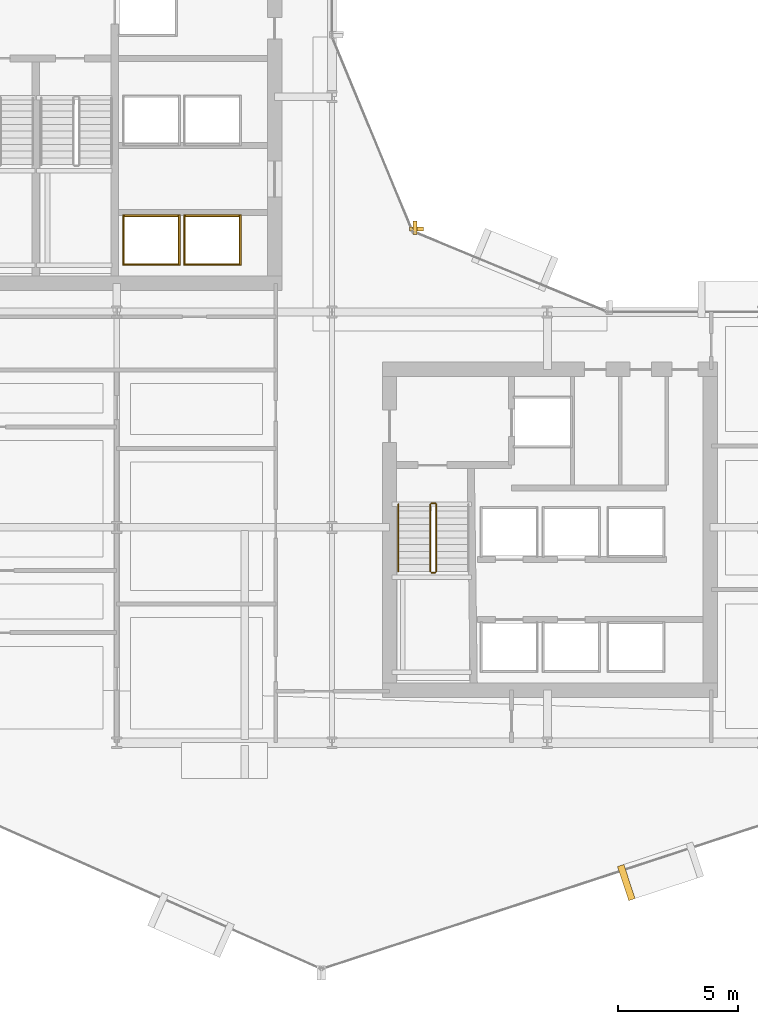
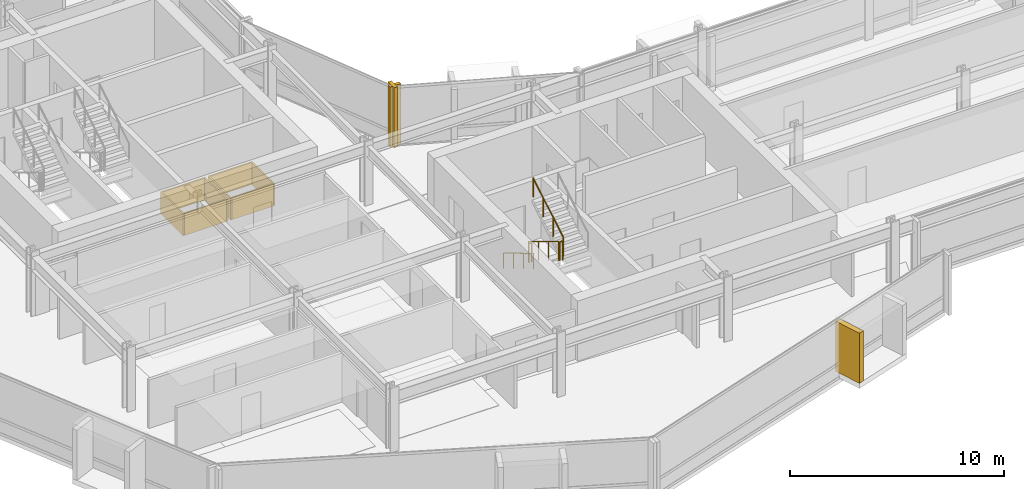
# One storey, part 31 of 34: 11 coverings, 5 railings.
"""IFC4 building model written with IfcOpenShell, lengths in metres."""

import ifcopenshell
import ifcopenshell.guid

model = None  # the IFC model being written
_history = None  # IfcOwnerHistory: only IFC2X3 demands one
_inside = {}  # id of a spatial element -> (the spatial element, [elements in it])
_under = {}  # id of a project, library or spatial element -> (it, [spatial elements below it])
_declared = {}  # id of a project -> (the project, [libraries it declares])
_typed = {}  # id of a type object -> (the type object, [elements of that type])
_made_of = {}  # id of a material, layer set ... -> (it, [elements and type objects made of it])


def new_model(schema):
    """Start an empty IFC model of exactly this schema.

    Asked for "IFC4X3", IfcOpenShell would pick the latest addendum, in which some entities
    have other attributes; the version numbers below select the first issue.
    IFC2X3 requires an IfcOwnerHistory on every rooted entity: one is made here for all.
    """
    global model, _history
    if schema == "IFC4X3":
        model = ifcopenshell.file(schema_version=(4, 3, 0, 0))
    else:
        model = ifcopenshell.file(schema=schema)
    _inside.clear()
    _under.clear()
    _declared.clear()
    _typed.clear()
    _made_of.clear()
    _history = None
    if model.schema == "IFC2X3":
        org = make("IfcOrganization", Name="unknown")
        user = make(
            "IfcPersonAndOrganization",
            ThePerson=make("IfcPerson", FamilyName="unknown"),
            TheOrganization=org,
        )
        app = make(
            "IfcApplication",
            ApplicationDeveloper=org,
            Version="unknown",
            ApplicationFullName="unknown",
            ApplicationIdentifier="unknown",
        )
        _history = make(
            "IfcOwnerHistory",
            OwningUser=user,
            OwningApplication=app,
            ChangeAction="ADDED",
            CreationDate=0,
        )
    return model


def make(cls, **values):
    """One entity of the class cls with the attributes given. An attribute that is None is left unset."""
    return model.create_entity(
        cls, **{name: value for name, value in values.items() if value is not None}
    )


def rooted(cls, **values):
    """An entity with a GlobalId (a new one), such as an element, a storey or a relation."""
    return make(cls, GlobalId=ifcopenshell.guid.new(), OwnerHistory=_history, **values)


def si_unit(unit_type, name, prefix=None):
    """IfcSIUnit, for example si_unit("LENGTHUNIT", "METRE", prefix="MILLI")."""
    return make("IfcSIUnit", UnitType=unit_type, Prefix=prefix, Name=name)


def assignment(units):
    """IfcUnitAssignment: the units of a project."""
    return None if units is None else make("IfcUnitAssignment", Units=units)


def point(xyz):
    """IfcCartesianPoint."""
    return None if xyz is None else make("IfcCartesianPoint", Coordinates=xyz)


def direction(xyz):
    """IfcDirection."""
    return None if xyz is None else make("IfcDirection", DirectionRatios=xyz)


def frame(location, z_axis=None, x_axis=None):
    """IfcAxis2Placement3D, a coordinate frame: its origin and axes. An axis left out is left unset."""
    return make(
        "IfcAxis2Placement3D",
        Location=point(location),
        Axis=direction(z_axis),
        RefDirection=direction(x_axis),
    )


def frame_2d(location, x_axis=None):
    """IfcAxis2Placement2D, a coordinate frame in the plane: its origin and x axis."""
    return make(
        "IfcAxis2Placement2D", Location=point(location), RefDirection=direction(x_axis)
    )


def origin():
    """The frame at (0, 0, 0) with its axes left unset."""
    return frame((0.0, 0.0, 0.0))


def origin_2d():
    """The frame at (0, 0) in the plane with its x axis left unset."""
    return frame_2d((0.0, 0.0))


def place(relative_to, where):
    """IfcLocalPlacement: puts the frame where relative to a parent placement (None: the world)."""
    return make(
        "IfcLocalPlacement", PlacementRelTo=relative_to, RelativePlacement=where
    )


def context(
    kind, dimensions, precision=None, world=None, true_north=None, identifier=None
):
    """IfcGeometricRepresentationContext, for example the 3D "Model" context."""
    return make(
        "IfcGeometricRepresentationContext",
        ContextIdentifier=identifier,
        ContextType=kind,
        CoordinateSpaceDimension=dimensions,
        Precision=precision,
        WorldCoordinateSystem=world,
        TrueNorth=true_north,
    )


def subcontext(parent, identifier, kind, view, scale=None):
    """IfcGeometricRepresentationSubContext, for example "Body" below "Model"."""
    return make(
        "IfcGeometricRepresentationSubContext",
        ContextIdentifier=identifier,
        ContextType=kind,
        ParentContext=parent,
        TargetScale=scale,
        TargetView=view,
    )


def project(units=None, contexts=None):
    """IfcProject with its units and contexts."""
    return rooted(
        "IfcProject",
        Name="project",
        RepresentationContexts=contexts,
        UnitsInContext=assignment(units),
    )


def spatial(cls, under=None, at=None, **own):
    """A site, building, storey or space (cls), placed at a placement, below another one or the project."""
    s = rooted(cls, ObjectPlacement=at, **own)
    if under is not None:
        _under.setdefault(under.id(), (under, []))[1].append(s)
    return s


def profile(cls, at=None, kind="AREA", **sizes):
    """A parametric profile (cls). Its sizes go by their IFC names, for example OverallWidth=200.0."""
    return make(cls, ProfileType=kind, Position=at, **sizes)


def rectangle(**sizes):
    """IfcRectangleProfileDef."""
    return profile("IfcRectangleProfileDef", **sizes)


def circle(**sizes):
    """IfcCircleProfileDef."""
    return profile("IfcCircleProfileDef", **sizes)


def extrude(swept, where, along, depth):
    """IfcExtrudedAreaSolid: the profile swept, set in the frame where, extruded along a direction by depth."""
    return make(
        "IfcExtrudedAreaSolid",
        SweptArea=swept,
        Position=where,
        ExtrudedDirection=direction(along),
        Depth=depth,
    )


def shape(context_of_items, identifier, shape_type, items):
    """IfcShapeRepresentation: the items that make up one representation, for example the "Body"."""
    return make(
        "IfcShapeRepresentation",
        ContextOfItems=context_of_items,
        RepresentationIdentifier=identifier,
        RepresentationType=shape_type,
        Items=items,
    )


def material(Name=None, Category=None):
    """IfcMaterial."""
    return make("IfcMaterial", Name=Name, Category=Category)


def layer(
    of_material, thickness, ventilated=None, Name=None, Category=None, Priority=None
):
    """IfcMaterialLayer: one layer of a wall or slab, of a material (None: an air gap)."""
    return make(
        "IfcMaterialLayer",
        Material=of_material,
        LayerThickness=thickness,
        IsVentilated=ventilated,
        Name=Name,
        Category=Category,
        Priority=Priority,
    )


def layer_set(layers, Name=None):
    """IfcMaterialLayerSet."""
    return make("IfcMaterialLayerSet", MaterialLayers=layers, LayerSetName=Name)


def made_of(thing, what):
    """Note that an element or type object is made of a material, layer set ...; save() writes the relation."""
    if what is not None:
        _made_of.setdefault(what.id(), (what, []))[1].append(thing)
    return thing


def type_object(cls, material=None, **own):
    """A type object (cls), such as IfcWallType, which elements share."""
    return made_of(rooted(cls, **own), material)


def element(
    cls,
    number,
    at=None,
    inside=None,
    cuts=None,
    type_object=None,
    material=None,
    context=None,
    identifier="Body",
    shape_type=None,
    held_by="IfcProductDefinitionShape",
    body=None,
    shapes=None,
    **own,
):
    """One element of the class cls, such as IfcWall. Its Tag is "e" and its number.

    at: its placement. inside: the storey or other place that contains it. cuts: it is an
    opening in that element (IfcRelVoidsElement). A single representation is given by context,
    identifier, shape_type and body (its items); several are given by shapes. held_by: the class
    of the entity that holds the representations. save() writes the other relations.
    """
    e = rooted(cls, Tag="e%d" % number, ObjectPlacement=at, **own)
    if body is not None:
        shapes = [shape(context, identifier, shape_type, body)]
    if shapes is not None:
        e.Representation = make(held_by, Representations=shapes)
    if inside is not None:
        _inside.setdefault(inside.id(), (inside, []))[1].append(e)
    if cuts is not None:
        rooted(
            "IfcRelVoidsElement", RelatingBuildingElement=cuts, RelatedOpeningElement=e
        )
    if type_object is not None:
        _typed.setdefault(type_object.id(), (type_object, []))[1].append(e)
    return made_of(e, material)


def aggregate(whole, parts):
    """IfcRelAggregates: a whole, such as a stair, and the parts it consists of."""
    return rooted("IfcRelAggregates", RelatingObject=whole, RelatedObjects=parts)


def save(model, path):
    """Write the relations noted so far, then the file.

    IfcRelAggregates (storeys below a building ...), IfcRelContainedInSpatialStructure (elements
    in a storey), IfcRelDefinesByType, IfcRelAssociatesMaterial and IfcRelDeclares: one each for
    every whole, place, type object, material and project.
    """
    for whole, parts in _under.values():
        aggregate(whole, parts)
    for where, things in _inside.values():
        rooted(
            "IfcRelContainedInSpatialStructure",
            RelatedElements=things,
            RelatingStructure=where,
        )
    for kind, things in _typed.values():
        rooted("IfcRelDefinesByType", RelatedObjects=things, RelatingType=kind)
    for what, things in _made_of.values():
        rooted("IfcRelAssociatesMaterial", RelatedObjects=things, RelatingMaterial=what)
    for by, libraries in _declared.values():
        rooted("IfcRelDeclares", RelatingContext=by, RelatedDefinitions=libraries)
    model.write(path)


model = new_model("IFC4")

# Units and contexts
model_context = context("Model", 3, precision=1e-05, world=origin(), true_north=direction((0.0, 1.0)))
body_context = subcontext(model_context, "Body", "Model", "MODEL_VIEW")
ifc_project = project(units=[si_unit("LENGTHUNIT", "METRE"), si_unit("AREAUNIT", "SQUARE_METRE"), si_unit("VOLUMEUNIT", "CUBIC_METRE"), si_unit("PLANEANGLEUNIT", "RADIAN"), si_unit("MASSUNIT", "GRAM", prefix="KILO")], contexts=[model_context])

# Site, building, storey
site_placement = place(None, origin())
site = spatial("IfcSite", under=ifc_project, at=site_placement, CompositionType="ELEMENT")
building_placement = place(site_placement, origin())
building = spatial("IfcBuilding", under=site, at=building_placement, Name="Solvaryn Broadcast Tower", CompositionType="ELEMENT")
storey_placement = place(building_placement, frame((0.0, 0.0, 36.0)))
storey = spatial("IfcBuildingStorey", under=building, at=storey_placement, Name="L07", CompositionType="ELEMENT", Elevation=36.0)

# Coverings
ifc_material_1 = material(Name="Fire-Rated Gypsum Shaftwall Liner", Category="concrete")
ifc_layer_1 = layer(ifc_material_1, 0.080078125)
ifc_layer_set_1 = layer_set([ifc_layer_1], Name="CV-SHAFT-LINER")
covering_type_1 = type_object("IfcCoveringType", Name="CV-SHAFT-LINER", PredefinedType="CLADDING", material=ifc_layer_set_1)
for number, where, z_axis, x_axis, name in (
    (1, (19.449951171875, 31.014892578125, 0.0), (0.0, 0.0, 1.0), (1.0, 0.0, 0.0), "L07 PH1 Hoistway Shaft Liner North"),
    (2, (19.449951171875, 28.985107421875, 0.0), (0.0, 0.0, 1.0), (1.0, 0.0, 0.0), "L07 PH1 Hoistway Shaft Liner South"),
):
    element("IfcCovering", number, at=place(storey_placement, frame(where, z_axis=z_axis, x_axis=x_axis)), inside=storey, type_object=covering_type_1, Name=name, PredefinedType="CLADDING", context=body_context, shape_type="SweptSolid", body=[
        extrude(rectangle(XDim=2.409912109375, YDim=0.080078125, at=origin_2d()), origin(), (0.0, 0.0, 1.0), 1.25),
    ])
for number, where, z_axis, x_axis, name in (
    (3, (20.614990234375, 30.0, 0.0), (0.0, 0.0, 1.0), (1.0, 0.0, 0.0), "L07 PH1 Hoistway Shaft Liner East"),
    (4, (18.284912109375, 30.0, 0.0), (0.0, 0.0, 1.0), (1.0, 0.0, 0.0), "L07 PH1 Hoistway Shaft Liner West"),
):
    element("IfcCovering", number, at=place(storey_placement, frame(where, z_axis=z_axis, x_axis=x_axis)), inside=storey, type_object=covering_type_1, Name=name, PredefinedType="CLADDING", context=body_context, shape_type="SweptSolid", body=[
        extrude(rectangle(XDim=0.080078125, YDim=2.110107421875, at=origin_2d()), origin(), (0.0, 0.0, 1.0), 1.25),
    ])
for number, where, z_axis, x_axis, name in (
    (5, (22.0, 31.014892578125, 0.0), (0.0, 0.0, 1.0), (1.0, 0.0, 0.0), "L07 PH2 Hoistway Shaft Liner North"),
    (6, (22.0, 28.985107421875, 0.0), (0.0, 0.0, 1.0), (1.0, 0.0, 0.0), "L07 PH2 Hoistway Shaft Liner South"),
):
    element("IfcCovering", number, at=place(storey_placement, frame(where, z_axis=z_axis, x_axis=x_axis)), inside=storey, type_object=covering_type_1, Name=name, PredefinedType="CLADDING", context=body_context, shape_type="SweptSolid", body=[
        extrude(rectangle(XDim=2.409912109375, YDim=0.080078125, at=origin_2d()), origin(), (0.0, 0.0, 1.0), 1.25),
    ])
for number, where, z_axis, x_axis, name in (
    (7, (23.1650390625, 30.0, 0.0), (0.0, 0.0, 1.0), (1.0, 0.0, 0.0), "L07 PH2 Hoistway Shaft Liner East"),
    (8, (20.8349609375, 30.0, 0.0), (0.0, 0.0, 1.0), (1.0, 0.0, 0.0), "L07 PH2 Hoistway Shaft Liner West"),
):
    element("IfcCovering", number, at=place(storey_placement, frame(where, z_axis=z_axis, x_axis=x_axis)), inside=storey, type_object=covering_type_1, Name=name, PredefinedType="CLADDING", context=body_context, shape_type="SweptSolid", body=[
        extrude(rectangle(XDim=0.080078125, YDim=2.110107421875, at=origin_2d()), origin(), (0.0, 0.0, 1.0), 1.25),
    ])
ifc_material_2 = material(Name="Glazed Architectural Terracotta Rainscreen Cladding", Category="masonry")
ifc_layer_2 = layer(ifc_material_2, 0.280029296875)
ifc_layer_set_2 = layer_set([ifc_layer_2], Name="CV-TC-CLAD")
covering_type_2 = type_object("IfcCoveringType", Name="CV-TC-CLAD", PredefinedType="CLADDING", material=ifc_layer_set_2)
covering_1_placement = place(storey_placement, frame((39.298095703125, 3.155517578125, 0.27978515625), z_axis=(0.0, 0.0, 1.0), x_axis=(0.950189870912, 0.311671636848, 0.0)))
element("IfcCovering", 9, at=covering_1_placement, inside=storey, type_object=covering_type_2, Name="L07 Projecting Stone Window Box Cheek 4-1", PredefinedType="CLADDING", context=body_context, shape_type="SweptSolid", body=[
    extrude(rectangle(XDim=0.280029296875, YDim=1.5, at=origin_2d()), origin(), (0.0, 0.0, 1.0), 2.860107421875),
])
ifc_material_3 = material(Name="Extruded Architectural Terracotta Fin", Category="masonry")
ifc_layer_3 = layer(ifc_material_3, 0.179931640625)
ifc_layer_set_3 = layer_set([ifc_layer_3], Name="CV-TC-FIN")
covering_type_3 = type_object("IfcCoveringType", Name="CV-TC-FIN", PredefinedType="USERDEFINED", material=ifc_layer_set_3)
covering_2_placement = place(storey_placement, frame((30.464599609375, 30.52294921875, 0.0), z_axis=(0.0, 0.0, 1.0), x_axis=(1.0, 0.0, 0.0)))
element("IfcCovering", 10, at=covering_2_placement, inside=storey, type_object=covering_type_3, Name="L07 Terracotta Vertical Fin FIN-L07-CN1-M01", ObjectType="FIN", PredefinedType="USERDEFINED", context=body_context, shape_type="SweptSolid", body=[
    extrude(rectangle(XDim=0.179931640625, YDim=0.580078125, at=origin_2d()), origin(), (0.0, 0.0, 1.0), 3.419921875),
])
covering_3_placement = place(storey_placement, frame((30.52294921875, 30.464599609375, 0.0), z_axis=(0.0, 0.0, 1.0), x_axis=(1.0, 0.0, 0.0)))
element("IfcCovering", 11, at=covering_3_placement, inside=storey, type_object=covering_type_3, Name="L07 Terracotta Vertical Fin FIN-L07-CN2-M00", ObjectType="FIN", PredefinedType="USERDEFINED", context=body_context, shape_type="SweptSolid", body=[
    extrude(rectangle(XDim=0.580078125, YDim=0.179931640625, at=origin_2d()), origin(), (0.0, 0.0, 1.0), 3.419921875),
])

# Railings
ifc_material_4 = material(Name="Painted Steel Stair Well Guard", Category="steel")
railing_type_1 = type_object("IfcRailingType", Name="RL-STAIR-GUARD", PredefinedType="BALUSTRADE", material=ifc_material_4)
railing_1_placement = place(storey_placement, frame((31.110107421875, 18.9599609375, 0.168212890625)))
element("IfcRailing", 12, at=railing_1_placement, inside=storey, type_object=railing_type_1, Name="L07 ST3 stair guard 1", PredefinedType="BALUSTRADE", context=body_context, shape_type="SweptSolid", body=[
    extrude(circle(Radius=0.02392578125, at=origin_2d()), frame((0.0, 0.0, 1.076171875), z_axis=(0.0, -0.857242210791, 0.514913383045), x_axis=(1.0, 0.0, 0.0)), (0.0, 0.0, 1.0), 3.266357421875),
    extrude(circle(Radius=0.02099609375, at=origin_2d()), origin(), (0.0, 0.0, 1.0), 1.052001953125),
    extrude(circle(Radius=0.02099609375, at=origin_2d()), frame((0.0, -0.933349609375, 0.560546875)), (0.0, 0.0, 1.0), 1.052001953125),
    extrude(circle(Radius=0.02099609375, at=origin_2d()), frame((0.0, -1.86669921875, 1.121337890625)), (0.0, 0.0, 1.0), 1.052001953125),
    extrude(circle(Radius=0.02099609375, at=origin_2d()), frame((0.0, -2.800048828125, 1.681884765625)), (0.0, 0.0, 1.0), 1.052001953125),
])
railing_2_placement = place(storey_placement, frame((31.159912109375, 16.110107421875, 1.85009765625)))
element("IfcRailing", 13, at=railing_2_placement, inside=storey, type_object=railing_type_1, Name="L07 ST3 stair guard 2", PredefinedType="BALUSTRADE", context=body_context, shape_type="SweptSolid", body=[
    extrude(circle(Radius=0.02392578125, at=origin_2d()), frame((0.0, 0.0, 1.076171875), z_axis=(1.0, 0.0, 0.0), x_axis=(0.0, 1.0, 0.0)), (0.0, 0.0, 1.0), 0.150146484375),
    extrude(circle(Radius=0.02099609375, at=origin_2d()), origin(), (0.0, 0.0, 1.0), 1.052001953125),
    extrude(circle(Radius=0.02099609375, at=origin_2d()), frame((0.150146484375, 0.0, 0.0)), (0.0, 0.0, 1.0), 1.052001953125),
])
railing_3_placement = place(storey_placement, frame((31.360107421875, 16.159912109375, 2.01806640625)))
element("IfcRailing", 14, at=railing_3_placement, inside=storey, type_object=railing_type_1, Name="L07 ST3 stair guard 3", PredefinedType="BALUSTRADE", context=body_context, shape_type="SweptSolid", body=[
    extrude(circle(Radius=0.02392578125, at=origin_2d()), frame((0.0, 0.0, 1.076171875), z_axis=(0.0, 0.857242210791, 0.514913383045), x_axis=(-1.0, 0.0, 0.0)), (0.0, 0.0, 1.0), 3.266357421875),
    extrude(circle(Radius=0.02099609375, at=origin_2d()), origin(), (0.0, 0.0, 1.0), 1.052001953125),
    extrude(circle(Radius=0.02099609375, at=origin_2d()), frame((0.0, 0.933349609375, 0.560546875)), (0.0, 0.0, 1.0), 1.052001953125),
    extrude(circle(Radius=0.02099609375, at=origin_2d()), frame((0.0, 1.86669921875, 1.121337890625)), (0.0, 0.0, 1.0), 1.052001953125),
    extrude(circle(Radius=0.02099609375, at=origin_2d()), frame((0.0, 2.800048828125, 1.681884765625)), (0.0, 0.0, 1.0), 1.052001953125),
])
railing_4_placement = place(storey_placement, frame((31.159912109375, 19.010009765625, 0.0)))
element("IfcRailing", 15, at=railing_4_placement, inside=storey, type_object=railing_type_1, Name="L07 ST3 stair guard 4", PredefinedType="BALUSTRADE", context=body_context, shape_type="SweptSolid", body=[
    extrude(circle(Radius=0.02392578125, at=origin_2d()), frame((0.0, 0.0, 1.076171875), z_axis=(1.0, 0.0, 0.0), x_axis=(0.0, 1.0, 0.0)), (0.0, 0.0, 1.0), 0.150146484375),
    extrude(circle(Radius=0.02099609375, at=origin_2d()), origin(), (0.0, 0.0, 1.0), 1.052001953125),
    extrude(circle(Radius=0.02099609375, at=origin_2d()), frame((0.150146484375, 0.0, 0.0)), (0.0, 0.0, 1.0), 1.052001953125),
])
ifc_material_5 = material(Name="Brushed Stainless Steel Tubular Handrail", Category="steel")
railing_type_2 = type_object("IfcRailingType", Name="RL-STAIR-HANDRAIL", PredefinedType="HANDRAIL", material=ifc_material_5)
railing_5_placement = place(storey_placement, frame((29.77001953125, 18.9599609375, 0.168212890625)))
element("IfcRailing", 16, at=railing_5_placement, inside=storey, type_object=railing_type_2, Name="L07 ST3 stair handrail 1", PredefinedType="HANDRAIL", context=body_context, shape_type="SweptSolid", body=[
    extrude(circle(Radius=0.02392578125, at=origin_2d()), frame((0.0, 0.0, 0.8759765625), z_axis=(0.0, -0.857242210791, 0.514913383045), x_axis=(1.0, 0.0, 0.0)), (0.0, 0.0, 1.0), 3.266357421875),
    extrude(circle(Radius=0.02099609375, at=origin_2d()), origin(), (0.0, 0.0, 1.0), 0.851806640625),
    extrude(circle(Radius=0.02099609375, at=origin_2d()), frame((0.0, -0.933349609375, 0.560546875)), (0.0, 0.0, 1.0), 0.851806640625),
    extrude(circle(Radius=0.02099609375, at=origin_2d()), frame((0.0, -1.86669921875, 1.121337890625)), (0.0, 0.0, 1.0), 0.851806640625),
    extrude(circle(Radius=0.02099609375, at=origin_2d()), frame((0.0, -2.800048828125, 1.681884765625)), (0.0, 0.0, 1.0), 0.851806640625),
])

save(model, "model.ifc")
